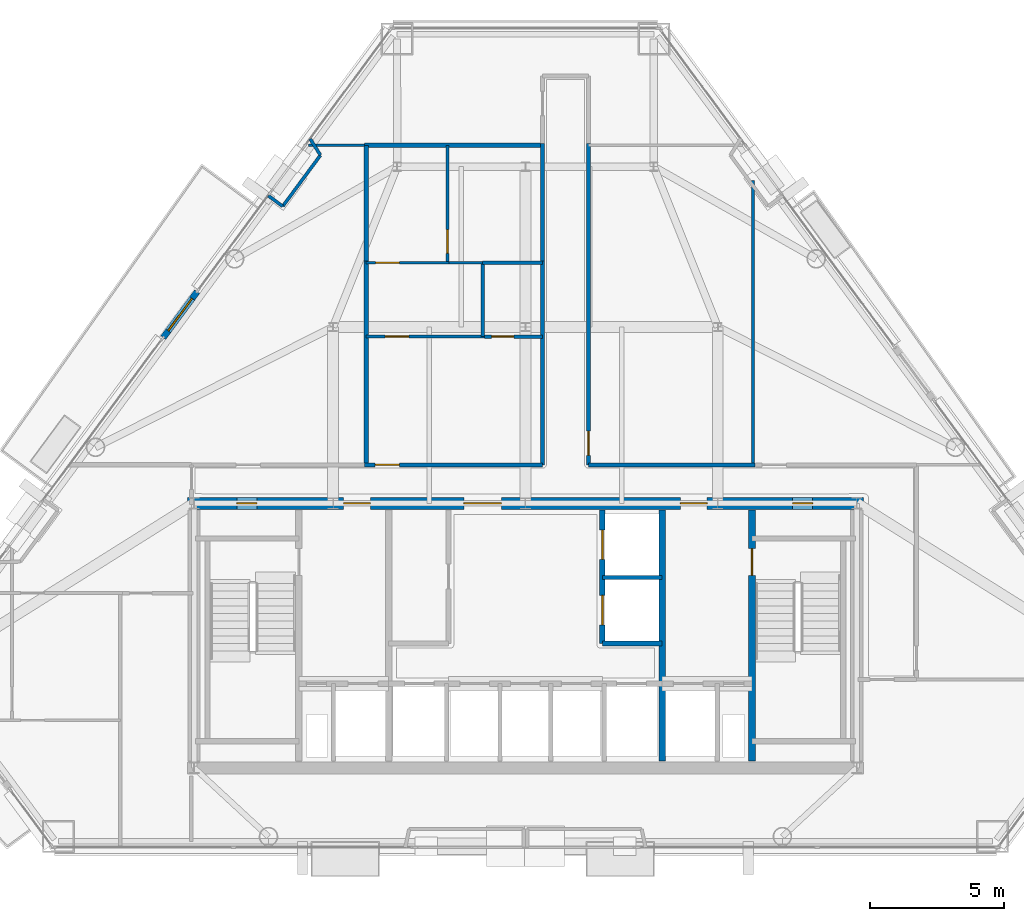
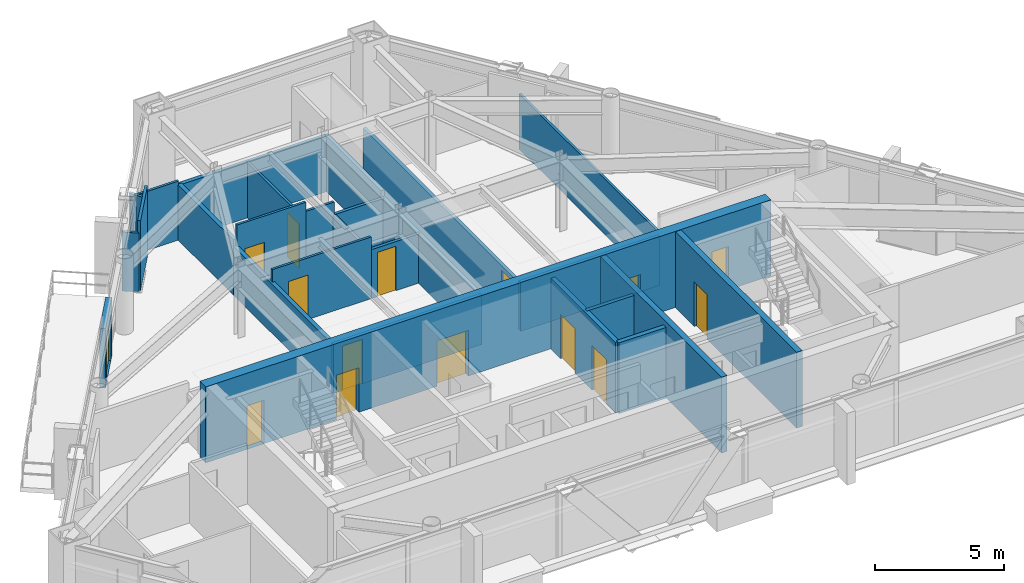
# One storey, part 8 of 11: 27 walls, 15 doors, 15 openings.
"""IFC4 building model written with IfcOpenShell, lengths in metres."""

from ifc_helpers import new_model, si_unit, direction, frame, frame_2d, origin, place, context, subcontext, project, spatial, rectangle, extrude, material, layer, layer_set, type_object, element, fill, save


model = new_model("IFC4")

# Units and contexts
model_context = context("Model", 3, precision=1e-05, world=origin(), true_north=direction((0.0, 1.0)))
body_context = subcontext(model_context, "Body", "Model", "MODEL_VIEW")
ifc_project = project(units=[si_unit("LENGTHUNIT", "METRE"), si_unit("AREAUNIT", "SQUARE_METRE"), si_unit("VOLUMEUNIT", "CUBIC_METRE"), si_unit("PLANEANGLEUNIT", "RADIAN"), si_unit("MASSUNIT", "GRAM", prefix="KILO")], contexts=[model_context])

# Site, building, storey
site_placement = place(None, origin())
site = spatial("IfcSite", under=ifc_project, at=site_placement, CompositionType="ELEMENT")
building_placement = place(site_placement, origin())
building = spatial("IfcBuilding", under=site, at=building_placement, Name="Talgorran Terracotta Tower", CompositionType="ELEMENT")
storey_placement = place(building_placement, frame((0.0, 0.0, 150.89990234375)))
storey = spatial("IfcBuildingStorey", under=building, at=storey_placement, Name="L39", CompositionType="ELEMENT", Elevation=150.89990234375)

# Wall, opening, door
ifc_material_1 = material(Name="Concrete C40/50", Category="concrete")
ifc_layer_1 = layer(ifc_material_1, 0.239990234375, Name="WT_BALCONY_SPAND")
ifc_layer_set_1 = layer_set([ifc_layer_1], Name="Concrete C40/50")
wall_type_1 = type_object("IfcWallType", Name="WT_BALCONY_SPAND", PredefinedType="STANDARD", material=ifc_layer_set_1)
wall_1_placement = place(storey_placement, frame((-12.28759765625, 3.72119140625, -0.014892578125), z_axis=(0.0, 0.0, 1.0), x_axis=(-0.593996463284, -0.804467651062, 0.0)))
wall_1 = element("IfcWall", 1, at=wall_1_placement, inside=storey, type_object=wall_type_1, Name="WL-L39-BALP-BAL-NW", PredefinedType="STANDARD", context=body_context, shape_type="SweptSolid", body=[
    extrude(rectangle(XDim=2.14013671875, YDim=0.239990234375, at=frame_2d((1.070068359375, 0.0))), origin(), (0.0, 0.0, 1.0), 2.806884765625),
])
opening_1_placement = place(wall_1_placement, frame((0.320068359375, 0.0, 0.014892578125)))
opening_1 = element("IfcOpeningElement", 2, at=opening_1_placement, cuts=wall_1, Name="Opening D-BAL-L39-2", PredefinedType="OPENING", context=body_context, shape_type="SweptSolid", body=[
    extrude(rectangle(XDim=1.506, YDim=2.203951171875, at=frame_2d((0.75, 1.10205078125))), frame((0.0, 0.1298828125, 0.0), z_axis=(0.0, -1.0, 0.0), x_axis=(1.0, 0.0, 0.0)), (0.0, 0.0, 1.0), 0.260009765625),
])
ifc_material_2 = material(Name="Thermally Broken Aluminium", Category="aluminium")
door_type_1 = type_object("IfcDoorType", Name="DT_BALC_1500", OperationType="SLIDING_TO_RIGHT", PredefinedType="DOOR", material=ifc_material_2)
door_1_placement = place(opening_1_placement, origin())
door_1 = element("IfcDoor", 3, at=door_1_placement, inside=storey, type_object=door_type_1, Name="DR-L39-BAL-BAL-NW", OperationType="SLIDING_TO_RIGHT", OverallHeight=2.199951171875, OverallWidth=1.5, PredefinedType="DOOR", context=body_context, shape_type="SweptSolid", body=[
    extrude(rectangle(XDim=1.5, YDim=2.199951171875, at=frame_2d((0.75, 1.10009765625))), frame((0.0, 0.02490234375, 0.0), z_axis=(0.0, -1.0, 0.0), x_axis=(1.0, 0.0, 0.0)), (0.0, 0.0, 1.0), 0.050048828125),
])
fill(opening_1, door_1)

# Wall, openings, doors
ifc_material_3 = material(Name="Concrete C50/60", Category="concrete")
ifc_layer_2 = layer(ifc_material_3, 0.199951171875, Name="WT_CORE_200")
ifc_layer_set_2 = layer_set([ifc_layer_2], Name="Concrete C50/60")
wall_type_2 = type_object("IfcWallType", Name="WT_CORE_200", PredefinedType="SOLIDWALL", material=ifc_layer_set_2)
wall_2_placement = place(storey_placement, frame((2.8798828125, -9.449951171875, 0.0), z_axis=(0.0, 0.0, 1.0), x_axis=(0.0, 1.0, 0.0)))
wall_2 = element("IfcWall", 4, at=wall_2_placement, inside=storey, type_object=wall_type_2, Name="WL-L39-CW-V-E3", PredefinedType="SOLIDWALL", context=body_context, shape_type="SweptSolid", body=[
    extrude(rectangle(XDim=5.0, YDim=0.199951171875, at=frame_2d((2.5, 0.0))), origin(), (0.0, 0.0, 1.0), 3.35009765625),
])
opening_2_placement = place(wall_2_placement, frame((0.699951171875, 0.0, 0.0)))
opening_2 = element("IfcOpeningElement", 5, at=opening_2_placement, cuts=wall_2, Name="Opening LD-PLM1", PredefinedType="OPENING", context=body_context, shape_type="SweptSolid", body=[
    extrude(rectangle(XDim=1.10609765625, YDim=2.10409765625, at=frame_2d((0.550048828125, 1.052001953125))), frame((0.0, 0.10986328125, 0.0), z_axis=(0.0, -1.0, 0.0), x_axis=(1.0, 0.0, 0.0)), (0.0, 0.0, 1.0), 0.219970703125),
])
opening_3_placement = place(wall_2_placement, frame((3.14990234375, 0.0, 0.0)))
opening_3 = element("IfcOpeningElement", 6, at=opening_3_placement, cuts=wall_2, Name="Opening LD-PLM2", PredefinedType="OPENING", context=body_context, shape_type="SweptSolid", body=[
    extrude(rectangle(XDim=1.10609765625, YDim=2.10409765625, at=frame_2d((0.550048828125, 1.052001953125))), frame((0.0, 0.10986328125, 0.0), z_axis=(0.0, -1.0, 0.0), x_axis=(1.0, 0.0, 0.0)), (0.0, 0.0, 1.0), 0.219970703125),
])
ifc_material_4 = material(Name="Brushed Stainless Steel Grade 304", Category="steel")
door_type_2 = type_object("IfcDoorType", Name="DT_LIFT_LD1100", OperationType="DOUBLE_DOOR_SLIDING", PredefinedType="DOOR", material=ifc_material_4)
door_2_placement = place(opening_2_placement, origin())
door_2 = element("IfcDoor", 7, at=door_2_placement, inside=storey, type_object=door_type_2, Name="L39 Lift Landing Door LD-PLM1", OperationType="DOUBLE_DOOR_SLIDING", OverallHeight=2.10009765625, OverallWidth=1.10009765625, PredefinedType="DOOR", context=body_context, shape_type="SweptSolid", body=[
    extrude(rectangle(XDim=1.10009765625, YDim=2.10009765625, at=frame_2d((0.550048828125, 1.050048828125))), frame((0.0, 0.02490234375, 0.0), z_axis=(0.0, -1.0, 0.0), x_axis=(1.0, 0.0, 0.0)), (0.0, 0.0, 1.0), 0.050048828125),
])
fill(opening_2, door_2)
door_3_placement = place(opening_3_placement, origin())
door_3 = element("IfcDoor", 8, at=door_3_placement, inside=storey, type_object=door_type_2, Name="L39 Lift Landing Door LD-PLM2", OperationType="DOUBLE_DOOR_SLIDING", OverallHeight=2.10009765625, OverallWidth=1.10009765625, PredefinedType="DOOR", context=body_context, shape_type="SweptSolid", body=[
    extrude(rectangle(XDim=1.10009765625, YDim=2.10009765625, at=frame_2d((0.550048828125, 1.050048828125))), frame((0.0, 0.02490234375, 0.0), z_axis=(0.0, -1.0, 0.0), x_axis=(1.0, 0.0, 0.0)), (0.0, 0.0, 1.0), 0.050048828125),
])
fill(opening_3, door_3)

# Wall
wall_3_placement = place(storey_placement, frame((2.8798828125, -9.449951171875, 0.0), z_axis=(0.0, 0.0, 1.0), x_axis=(1.0, 0.0, 0.0)))
element("IfcWall", 9, at=wall_3_placement, inside=storey, type_object=wall_type_2, Name="WL-L39-CW-H-E4", PredefinedType="SOLIDWALL", context=body_context, shape_type="SweptSolid", body=[
    extrude(rectangle(XDim=2.240234375, YDim=0.199951171875, at=frame_2d((1.1201171875, 0.0))), origin(), (0.0, 0.0, 1.0), 3.35009765625),
])

# Wall, opening, door
ifc_layer_3 = layer(ifc_material_3, 0.25, Name="WT_CORE_250")
ifc_layer_set_3 = layer_set([ifc_layer_3], Name="Concrete C50/60")
wall_type_3 = type_object("IfcWallType", Name="WT_CORE_250", PredefinedType="SHEAR", material=ifc_layer_set_3)
wall_4_placement = place(storey_placement, frame((8.47998046875, -13.85009765625, 0.0), z_axis=(0.0, 0.0, 1.0), x_axis=(0.0, 1.0, 0.0)))
wall_4 = element("IfcWall", 10, at=wall_4_placement, inside=storey, type_object=wall_type_3, Name="WL-L39-CW-V-E1", PredefinedType="SHEAR", context=body_context, shape_type="SweptSolid", body=[
    extrude(rectangle(XDim=9.400146484375, YDim=0.25, at=frame_2d((4.7001953125, 0.0))), origin(), (0.0, 0.0, 1.0), 3.60009765625),
])
opening_4_placement = place(wall_4_placement, frame((6.949951171875, 0.0, 0.0)))
opening_4 = element("IfcOpeningElement", 11, at=opening_4_placement, cuts=wall_4, Name="Opening DR-ST02", PredefinedType="OPENING", context=body_context, shape_type="SweptSolid", body=[
    extrude(rectangle(XDim=1.006, YDim=2.10409765625, at=frame_2d((0.5, 1.052001953125))), frame((0.0, 0.135009765625, 0.0), z_axis=(0.0, -1.0, 0.0), x_axis=(1.0, 0.0, 0.0)), (0.0, 0.0, 1.0), 0.27001953125),
])
ifc_material_5 = material(Name="Fire-Rated Pressed Steel", Category="steel")
door_type_3 = type_object("IfcDoorType", Name="DT_FIRE_1000", OperationType="NOTDEFINED", PredefinedType="DOOR", material=ifc_material_5)
door_4_placement = place(opening_4_placement, origin())
door_4 = element("IfcDoor", 12, at=door_4_placement, inside=storey, type_object=door_type_3, Name="DR-ST02", OperationType="SINGLE_SWING_RIGHT", OverallHeight=2.10009765625, OverallWidth=1.0, PredefinedType="DOOR", context=body_context, shape_type="SweptSolid", body=[
    extrude(rectangle(XDim=1.0, YDim=2.10009765625, at=frame_2d((0.5, 1.050048828125))), frame((0.0, 0.02490234375, 0.0), z_axis=(0.0, -1.0, 0.0), x_axis=(1.0, 0.0, 0.0)), (0.0, 0.0, 1.0), 0.050048828125),
])
fill(opening_4, door_4)

# Wall
wall_5_placement = place(storey_placement, frame((5.1201171875, -13.85009765625, 0.0), z_axis=(0.0, 0.0, 1.0), x_axis=(0.0, 1.0, 0.0)))
element("IfcWall", 13, at=wall_5_placement, inside=storey, type_object=wall_type_3, Name="WL-L39-CW-V-E2", PredefinedType="SHEAR", context=body_context, shape_type="SweptSolid", body=[
    extrude(rectangle(XDim=9.400146484375, YDim=0.25, at=frame_2d((4.7001953125, 0.0))), origin(), (0.0, 0.0, 1.0), 3.60009765625),
])

# Wall, openings, doors
ifc_material_6 = material(Name="Concrete C65/80", Category="concrete")
ifc_layer_4 = layer(ifc_material_6, 0.449951171875, Name="WT_CORE_EXT")
ifc_layer_set_4 = layer_set([ifc_layer_4], Name="Concrete C65/80")
wall_type_4 = type_object("IfcWallType", Name="WT_CORE_EXT", PredefinedType="SHEAR", material=ifc_layer_set_4)
wall_6_placement = place(storey_placement, frame((-12.64990234375, -4.199951171875, 0.0), z_axis=(0.0, 0.0, 1.0), x_axis=(1.0, 0.0, 0.0)))
wall_6 = element("IfcWall", 14, at=wall_6_placement, inside=storey, type_object=wall_type_4, Name="WL-L39-CW-OUT-N", PredefinedType="SHEAR", context=body_context, shape_type="SweptSolid", body=[
    extrude(rectangle(XDim=25.2998046875, YDim=0.449951171875, at=frame_2d((12.64990234375, 0.0))), origin(), (0.0, 0.0, 1.0), 3.60009765625),
])
opening_5_placement = place(wall_6_placement, frame((1.85009765625, 0.0, 0.0)))
opening_5 = element("IfcOpeningElement", 15, at=opening_5_placement, cuts=wall_6, Name="Opening DR-CSN1", PredefinedType="OPENING", context=body_context, shape_type="SweptSolid", body=[
    extrude(rectangle(XDim=0.756, YDim=2.054048828125, at=frame_2d((0.375, 1.027099609375))), frame((0.0, 0.23486328125, 0.0), z_axis=(0.0, -1.0, 0.0), x_axis=(1.0, 0.0, 0.0)), (0.0, 0.0, 1.0), 0.469970703125),
])
opening_6_placement = place(wall_6_placement, frame((22.64990234375, 0.0, 0.0)))
opening_6 = element("IfcOpeningElement", 16, at=opening_6_placement, cuts=wall_6, Name="Opening DR-CSN2", PredefinedType="OPENING", context=body_context, shape_type="SweptSolid", body=[
    extrude(rectangle(XDim=0.756, YDim=2.054048828125, at=frame_2d((0.375, 1.027099609375))), frame((0.0, 0.23486328125, 0.0), z_axis=(0.0, -1.0, 0.0), x_axis=(1.0, 0.0, 0.0)), (0.0, 0.0, 1.0), 0.469970703125),
])
opening_7_placement = place(wall_6_placement, frame((5.85009765625, 0.0, 0.0)))
opening_7 = element("IfcOpeningElement", 17, at=opening_7_placement, cuts=wall_6, Name="Opening DR-FFLW-N", PredefinedType="OPENING", context=body_context, shape_type="SweptSolid", body=[
    extrude(rectangle(XDim=1.006, YDim=2.10409765625, at=frame_2d((0.5, 1.052001953125))), frame((0.0, 0.23486328125, 0.0), z_axis=(0.0, -1.0, 0.0), x_axis=(1.0, 0.0, 0.0)), (0.0, 0.0, 1.0), 0.469970703125),
])
opening_8_placement = place(wall_6_placement, frame((10.35009765625, 0.0, 0.0)))
opening_8 = element("IfcOpeningElement", 18, at=opening_8_placement, cuts=wall_6, Name="Opening DR-PLL-N", PredefinedType="OPENING", context=body_context, shape_type="SweptSolid", body=[
    extrude(rectangle(XDim=1.40590234375, YDim=2.15390234375, at=frame_2d((0.699951171875, 1.076904296875))), frame((0.0, 0.23486328125, 0.0), z_axis=(0.0, -1.0, 0.0), x_axis=(1.0, 0.0, 0.0)), (0.0, 0.0, 1.0), 0.469970703125),
])
opening_9_placement = place(wall_6_placement, frame((18.449951171875, 0.0, 0.0)))
opening_9 = element("IfcOpeningElement", 19, at=opening_9_placement, cuts=wall_6, Name="Opening DR-FFLE-N", PredefinedType="OPENING", context=body_context, shape_type="SweptSolid", body=[
    extrude(rectangle(XDim=1.006, YDim=2.10409765625, at=frame_2d((0.5, 1.052001953125))), frame((0.0, 0.23486328125, 0.0), z_axis=(0.0, -1.0, 0.0), x_axis=(1.0, 0.0, 0.0)), (0.0, 0.0, 1.0), 0.469970703125),
])
ifc_material_7 = material(Name="Acoustic Glazed Timber", Category="wood")
door_type_4 = type_object("IfcDoorType", Name="DT_DOUBLE_1400", OperationType="DOUBLE_DOOR_SINGLE_SWING", PredefinedType="DOOR", material=ifc_material_7)
door_5_placement = place(opening_8_placement, origin())
door_5 = element("IfcDoor", 20, at=door_5_placement, inside=storey, type_object=door_type_4, Name="DR-PLL-N", OperationType="DOUBLE_DOOR_SINGLE_SWING", OverallHeight=2.14990234375, OverallWidth=1.39990234375, PredefinedType="DOOR", context=body_context, shape_type="SweptSolid", body=[
    extrude(rectangle(XDim=1.39990234375, YDim=2.14990234375, at=frame_2d((0.699951171875, 1.074951171875))), frame((0.0, 0.02490234375, 0.0), z_axis=(0.0, -1.0, 0.0), x_axis=(1.0, 0.0, 0.0)), (0.0, 0.0, 1.0), 0.050048828125),
])
fill(opening_8, door_5)
door_6_placement = place(opening_7_placement, origin())
door_6 = element("IfcDoor", 21, at=door_6_placement, inside=storey, type_object=door_type_3, Name="DR-FFLW-N", OperationType="SINGLE_SWING_LEFT", OverallHeight=2.10009765625, OverallWidth=1.0, PredefinedType="DOOR", context=body_context, shape_type="SweptSolid", body=[
    extrude(rectangle(XDim=1.0, YDim=2.10009765625, at=frame_2d((0.5, 1.050048828125))), frame((0.0, 0.02490234375, 0.0), z_axis=(0.0, -1.0, 0.0), x_axis=(1.0, 0.0, 0.0)), (0.0, 0.0, 1.0), 0.050048828125),
])
fill(opening_7, door_6)
door_7_placement = place(opening_9_placement, origin())
door_7 = element("IfcDoor", 22, at=door_7_placement, inside=storey, type_object=door_type_3, Name="DR-FFLE-N", OperationType="SINGLE_SWING_RIGHT", OverallHeight=2.10009765625, OverallWidth=1.0, PredefinedType="DOOR", context=body_context, shape_type="SweptSolid", body=[
    extrude(rectangle(XDim=1.0, YDim=2.10009765625, at=frame_2d((0.5, 1.050048828125))), frame((0.0, 0.02490234375, 0.0), z_axis=(0.0, -1.0, 0.0), x_axis=(1.0, 0.0, 0.0)), (0.0, 0.0, 1.0), 0.050048828125),
])
fill(opening_9, door_7)
door_type_5 = type_object("IfcDoorType", Name="DT_RISER_750", OperationType="NOTDEFINED", PredefinedType="DOOR", material=ifc_material_5)
door_8_placement = place(opening_5_placement, origin())
door_8 = element("IfcDoor", 23, at=door_8_placement, inside=storey, type_object=door_type_5, Name="DR-CSN1", OperationType="SINGLE_SWING_LEFT", OverallHeight=2.050048828125, OverallWidth=0.75, PredefinedType="DOOR", context=body_context, shape_type="SweptSolid", body=[
    extrude(rectangle(XDim=0.75, YDim=2.050048828125, at=frame_2d((0.375, 1.02490234375))), frame((0.0, 0.02490234375, 0.0), z_axis=(0.0, -1.0, 0.0), x_axis=(1.0, 0.0, 0.0)), (0.0, 0.0, 1.0), 0.050048828125),
])
fill(opening_5, door_8)
door_9_placement = place(opening_6_placement, origin())
door_9 = element("IfcDoor", 24, at=door_9_placement, inside=storey, type_object=door_type_5, Name="DR-CSN2", OperationType="SINGLE_SWING_RIGHT", OverallHeight=2.050048828125, OverallWidth=0.75, PredefinedType="DOOR", context=body_context, shape_type="SweptSolid", body=[
    extrude(rectangle(XDim=0.75, YDim=2.050048828125, at=frame_2d((0.375, 1.02490234375))), frame((0.0, 0.02490234375, 0.0), z_axis=(0.0, -1.0, 0.0), x_axis=(1.0, 0.0, 0.0)), (0.0, 0.0, 1.0), 0.050048828125),
])
fill(opening_6, door_9)

# Wall, opening, door
ifc_material_8 = material(Name="Fire-Rated Steel Stud Plasterboard", Category="steel")
ifc_layer_5 = layer(ifc_material_8, 0.14990234375, Name="WT_FIRE_150")
ifc_layer_set_5 = layer_set([ifc_layer_5], Name="Fire-Rated Steel Stud Plasterboard")
wall_type_5 = type_object("IfcWallType", Name="WT_FIRE_150", PredefinedType="PARTITIONING", material=ifc_layer_set_5)
wall_7_placement = place(storey_placement, frame((2.360107421875, -2.760009765625, 0.0), z_axis=(0.0, 0.0, 1.0), x_axis=(0.0, 1.0, 0.0)))
wall_7 = element("IfcWall", 25, at=wall_7_placement, inside=storey, type_object=wall_type_5, Name="WL-L39-W-L39-R12", PredefinedType="PARTITIONING", context=body_context, shape_type="SweptSolid", body=[
    extrude(rectangle(XDim=12.02001953125, YDim=0.14990234375, at=frame_2d((6.010009765625, 0.0))), origin(), (0.0, 0.0, 1.0), 2.3251953125),
])
opening_10_placement = place(wall_7_placement, frame((0.359130859375, 0.0, 0.0)))
opening_10 = element("IfcOpeningElement", 26, at=opening_10_placement, cuts=wall_7, Name="Opening DR-L39-R14", PredefinedType="OPENING", context=body_context, shape_type="SweptSolid", body=[
    extrude(rectangle(XDim=0.90590234375, YDim=2.10409765625, at=frame_2d((0.449951171875, 1.052001953125))), frame((0.0, 0.0849609375, 0.0), z_axis=(0.0, -1.0, 0.0), x_axis=(1.0, 0.0, 0.0)), (0.0, 0.0, 1.0), 0.169921875),
])
ifc_material_9 = material(Name="Fire-Rated Timber Core", Category="wood")
door_type_6 = type_object("IfcDoorType", Name="DT_FIRE_900", OperationType="NOTDEFINED", PredefinedType="DOOR", material=ifc_material_9)
door_10_placement = place(opening_10_placement, origin())
door_10 = element("IfcDoor", 27, at=door_10_placement, inside=storey, type_object=door_type_6, Name="DR-L39-R14", OperationType="SINGLE_SWING_RIGHT", OverallHeight=2.10009765625, OverallWidth=0.89990234375, PredefinedType="DOOR", context=body_context, shape_type="SweptSolid", body=[
    extrude(rectangle(XDim=0.89990234375, YDim=2.10009765625, at=frame_2d((0.449951171875, 1.050048828125))), frame((0.0, 0.02490234375, 0.0), z_axis=(0.0, -1.0, 0.0), x_axis=(1.0, 0.0, 0.0)), (0.0, 0.0, 1.0), 0.050048828125),
])
fill(opening_10, door_10)

wall_8_placement = place(storey_placement, frame((-6.02001953125, -2.760009765625, 0.0), z_axis=(0.0, 0.0, 1.0), x_axis=(1.0, 0.0, 0.0)))
wall_8 = element("IfcWall", 28, at=wall_8_placement, inside=storey, type_object=wall_type_5, Name="WL-L39-W-L39-R08", PredefinedType="PARTITIONING", context=body_context, shape_type="SweptSolid", body=[
    extrude(rectangle(XDim=6.659912109375, YDim=0.14990234375, at=frame_2d((3.330078125, 0.0))), origin(), (0.0, 0.0, 1.0), 2.3251953125),
])
opening_11_placement = place(wall_8_placement, frame((0.39990234375, 0.0, 0.0)))
opening_11 = element("IfcOpeningElement", 29, at=opening_11_placement, cuts=wall_8, Name="Opening DR-L39-R09", PredefinedType="OPENING", context=body_context, shape_type="SweptSolid", body=[
    extrude(rectangle(XDim=0.90590234375, YDim=2.10409765625, at=frame_2d((0.449951171875, 1.052001953125))), frame((0.0, 0.0849609375, 0.0), z_axis=(0.0, -1.0, 0.0), x_axis=(1.0, 0.0, 0.0)), (0.0, 0.0, 1.0), 0.169921875),
])
door_11_placement = place(opening_11_placement, origin())
door_11 = element("IfcDoor", 30, at=door_11_placement, inside=storey, type_object=door_type_6, Name="DR-L39-R09", OperationType="SINGLE_SWING_LEFT", OverallHeight=2.10009765625, OverallWidth=0.89990234375, PredefinedType="DOOR", context=body_context, shape_type="SweptSolid", body=[
    extrude(rectangle(XDim=0.89990234375, YDim=2.10009765625, at=frame_2d((0.449951171875, 1.050048828125))), frame((0.0, 0.02490234375, 0.0), z_axis=(0.0, -1.0, 0.0), x_axis=(1.0, 0.0, 0.0)), (0.0, 0.0, 1.0), 0.050048828125),
])
fill(opening_11, door_11)

# Walls
wall_9_placement = place(storey_placement, frame((2.360107421875, -2.760009765625, 0.0), z_axis=(0.0, 0.0, 1.0), x_axis=(1.0, 0.0, 0.0)))
element("IfcWall", 31, at=wall_9_placement, inside=storey, type_object=wall_type_5, Name="WL-L39-W-L39-R13", PredefinedType="PARTITIONING", context=body_context, shape_type="SweptSolid", body=[
    extrude(rectangle(XDim=6.239990234375, YDim=0.14990234375, at=frame_2d((3.1201171875, 0.0))), origin(), (0.0, 0.0, 1.0), 2.3251953125),
])
wall_10_placement = place(storey_placement, frame((0.639892578125, -2.760009765625, 0.0), z_axis=(0.0, 0.0, 1.0), x_axis=(0.0, 1.0, 0.0)))
element("IfcWall", 32, at=wall_10_placement, inside=storey, type_object=wall_type_5, Name="WL-L39-W-L39-R09", PredefinedType="PARTITIONING", context=body_context, shape_type="SweptSolid", body=[
    extrude(rectangle(XDim=7.6201171875, YDim=0.14990234375, at=frame_2d((3.81005859375, 0.0))), origin(), (0.0, 0.0, 1.0), 2.3251953125),
])
wall_11_placement = place(storey_placement, frame((0.639892578125, 4.862060546875, 0.0), z_axis=(0.0, 0.0, 1.0), x_axis=(0.0, 1.0, 0.0)))
element("IfcWall", 33, at=wall_11_placement, inside=storey, type_object=wall_type_5, Name="WL-L39-W-L39-R11", PredefinedType="PARTITIONING", context=body_context, shape_type="SweptSolid", body=[
    extrude(rectangle(XDim=4.39794921875, YDim=0.14990234375, at=frame_2d((2.198974609375, 0.0))), origin(), (0.0, 0.0, 1.0), 2.6171875),
])
ifc_material_10 = material(Name="Acoustic Stud and Plasterboard")
ifc_layer_6 = layer(ifc_material_10, 0.179931640625, Name="WT_PARTY_200")
ifc_layer_set_6 = layer_set([ifc_layer_6], Name="Acoustic Stud and Plasterboard")
wall_type_6 = type_object("IfcWallType", Name="WT_PARTY_200", PredefinedType="PARTITIONING", material=ifc_layer_set_6)
wall_12_placement = place(storey_placement, frame((-5.9599609375, -2.760009765625, 0.0), z_axis=(0.0, 0.0, 1.0), x_axis=(0.0, 1.0, 0.0)))
element("IfcWall", 34, at=wall_12_placement, inside=storey, type_object=wall_type_6, Name="WL-L39-W-L39-R28", PredefinedType="PARTITIONING", context=body_context, shape_type="SweptSolid", body=[
    extrude(rectangle(XDim=7.6201171875, YDim=0.179931640625, at=frame_2d((3.81005859375, 0.0))), origin(), (0.0, 0.0, 1.0), 2.3251953125),
])
wall_13_placement = place(storey_placement, frame((-5.9599609375, 4.862060546875, 0.0), z_axis=(0.0, 0.0, 1.0), x_axis=(0.0, 1.0, 0.0)))
element("IfcWall", 35, at=wall_13_placement, inside=storey, type_object=wall_type_6, Name="WL-L39-W-L39-R30", PredefinedType="PARTITIONING", context=body_context, shape_type="SweptSolid", body=[
    extrude(rectangle(XDim=4.337890625, YDim=0.179931640625, at=frame_2d((2.1689453125, 0.0))), origin(), (0.0, 0.0, 1.0), 2.6171875),
])
wall_14_placement = place(storey_placement, frame((-6.02001953125, 9.199951171875, 0.0), z_axis=(0.0, 0.0, 1.0), x_axis=(1.0, 0.0, 0.0)))
element("IfcWall", 36, at=wall_14_placement, inside=storey, type_object=wall_type_6, Name="WL-L39-W-L39-R26", PredefinedType="PARTITIONING", context=body_context, shape_type="SweptSolid", body=[
    extrude(rectangle(XDim=6.659912109375, YDim=0.179931640625, at=frame_2d((3.330078125, 0.0))), origin(), (0.0, 0.0, 1.0), 2.6171875),
])
ifc_material_11 = material(Name="Lightweight Steel Stud Partition", Category="steel")
ifc_layer_7 = layer(ifc_material_11, 0.10498046875, Name="WT_PART_110")
ifc_layer_set_7 = layer_set([ifc_layer_7], Name="Lightweight Steel Stud Partition")
wall_type_7 = type_object("IfcWallType", Name="WT_PART_110", PredefinedType="PARTITIONING", material=ifc_layer_set_7)
wall_15_placement = place(storey_placement, frame((8.52001953125, -2.760009765625, 0.0), z_axis=(0.0, 0.0, 1.0), x_axis=(0.0, 1.0, 0.0)))
element("IfcWall", 37, at=wall_15_placement, inside=storey, type_object=wall_type_7, Name="WL-L39-W-L39-R38", PredefinedType="PARTITIONING", context=body_context, shape_type="SweptSolid", body=[
    extrude(rectangle(XDim=10.639892578125, YDim=0.10498046875, at=frame_2d((5.31982421875, 0.0))), origin(), (0.0, 0.0, 1.0), 2.6171875),
])

# Wall, opening, door
wall_16_placement = place(storey_placement, frame((-5.9599609375, 2.0400390625, 0.0), z_axis=(0.0, 0.0, 1.0), x_axis=(1.0, 0.0, 0.0)))
wall_16 = element("IfcWall", 38, at=wall_16_placement, inside=storey, type_object=wall_type_7, Name="WL-L39-W-L39-R32", PredefinedType="PARTITIONING", context=body_context, shape_type="SweptSolid", body=[
    extrude(rectangle(XDim=4.419921875, YDim=0.10498046875, at=frame_2d((2.2099609375, 0.0))), origin(), (0.0, 0.0, 1.0), 2.918701171875),
])
opening_12_placement = place(wall_16_placement, frame((0.71630859375, 0.0, 0.0)))
opening_12 = element("IfcOpeningElement", 39, at=opening_12_placement, cuts=wall_16, Name="Opening DR-L39-R11", PredefinedType="OPENING", context=body_context, shape_type="SweptSolid", body=[
    extrude(rectangle(XDim=0.8858828125, YDim=2.10409765625, at=frame_2d((0.43994140625, 1.052001953125))), frame((0.0, 0.0625, 0.0), z_axis=(0.0, -1.0, 0.0), x_axis=(1.0, 0.0, 0.0)), (0.0, 0.0, 1.0), 0.125),
])
ifc_material_12 = material(Name="Solid-Core Painted Timber", Category="wood")
door_type_7 = type_object("IfcDoorType", Name="DT_INT_880", OperationType="NOTDEFINED", PredefinedType="DOOR", material=ifc_material_12)
door_12_placement = place(opening_12_placement, origin())
door_12 = element("IfcDoor", 40, at=door_12_placement, inside=storey, type_object=door_type_7, Name="DR-L39-R11", OperationType="SINGLE_SWING_LEFT", OverallHeight=2.10009765625, OverallWidth=0.8798828125, PredefinedType="DOOR", context=body_context, shape_type="SweptSolid", body=[
    extrude(rectangle(XDim=0.8798828125, YDim=2.10009765625, at=frame_2d((0.43994140625, 1.050048828125))), frame((0.0, 0.02490234375, 0.0), z_axis=(0.0, -1.0, 0.0), x_axis=(1.0, 0.0, 0.0)), (0.0, 0.0, 1.0), 0.050048828125),
])
fill(opening_12, door_12)

wall_17_placement = place(storey_placement, frame((-2.919921875, 4.800048828125, 0.0), z_axis=(0.0, 0.0, 1.0), x_axis=(0.0, 1.0, 0.0)))
wall_17 = element("IfcWall", 41, at=wall_17_placement, inside=storey, type_object=wall_type_7, Name="WL-L39-W-L39-R37", PredefinedType="PARTITIONING", context=body_context, shape_type="SweptSolid", body=[
    extrude(rectangle(XDim=4.39990234375, YDim=0.10498046875, at=frame_2d((2.199951171875, 0.0))), origin(), (0.0, 0.0, 1.0), 2.6171875),
])
opening_13_placement = place(wall_17_placement, frame((0.360107421875, 0.0, 0.0)))
opening_13 = element("IfcOpeningElement", 42, at=opening_13_placement, cuts=wall_17, Name="Opening DR-L39-R13", PredefinedType="OPENING", context=body_context, shape_type="SweptSolid", body=[
    extrude(rectangle(XDim=0.8858828125, YDim=2.10409765625, at=frame_2d((0.43994140625, 1.052001953125))), frame((0.0, 0.0625, 0.0), z_axis=(0.0, -1.0, 0.0), x_axis=(1.0, 0.0, 0.0)), (0.0, 0.0, 1.0), 0.125),
])
door_13_placement = place(opening_13_placement, origin())
door_13 = element("IfcDoor", 43, at=door_13_placement, inside=storey, type_object=door_type_7, Name="DR-L39-R13", OperationType="SINGLE_SWING_LEFT", OverallHeight=2.10009765625, OverallWidth=0.8798828125, PredefinedType="DOOR", context=body_context, shape_type="SweptSolid", body=[
    extrude(rectangle(XDim=0.8798828125, YDim=2.10009765625, at=frame_2d((0.43994140625, 1.050048828125))), frame((0.0, 0.02490234375, 0.0), z_axis=(0.0, -1.0, 0.0), x_axis=(1.0, 0.0, 0.0)), (0.0, 0.0, 1.0), 0.050048828125),
])
fill(opening_13, door_13)

wall_18_placement = place(storey_placement, frame((-5.9599609375, 4.800048828125, 0.0), z_axis=(0.0, 0.0, 1.0), x_axis=(1.0, 0.0, 0.0)))
wall_18 = element("IfcWall", 44, at=wall_18_placement, inside=storey, type_object=wall_type_7, Name="WL-L39-W-L39-R35", PredefinedType="PARTITIONING", context=body_context, shape_type="SweptSolid", body=[
    extrude(rectangle(XDim=3.099853515625, YDim=0.10498046875, at=frame_2d((1.5498046875, 0.0))), origin(), (0.0, 0.0, 1.0), 3.35009765625),
])
opening_14_placement = place(wall_18_placement, frame((0.357666015625, 0.0, 0.0)))
opening_14 = element("IfcOpeningElement", 45, at=opening_14_placement, cuts=wall_18, Name="Opening DR-L39-R12", PredefinedType="OPENING", context=body_context, shape_type="SweptSolid", body=[
    extrude(rectangle(XDim=0.8858828125, YDim=2.10409765625, at=frame_2d((0.43994140625, 1.052001953125))), frame((0.0, 0.0625, 0.0), z_axis=(0.0, -1.0, 0.0), x_axis=(1.0, 0.0, 0.0)), (0.0, 0.0, 1.0), 0.125),
])
door_14_placement = place(opening_14_placement, origin())
door_14 = element("IfcDoor", 46, at=door_14_placement, inside=storey, type_object=door_type_7, Name="DR-L39-R12", OperationType="SINGLE_SWING_RIGHT", OverallHeight=2.10009765625, OverallWidth=0.8798828125, PredefinedType="DOOR", context=body_context, shape_type="SweptSolid", body=[
    extrude(rectangle(XDim=0.8798828125, YDim=2.10009765625, at=frame_2d((0.43994140625, 1.050048828125))), frame((0.0, 0.02490234375, 0.0), z_axis=(0.0, -1.0, 0.0), x_axis=(1.0, 0.0, 0.0)), (0.0, 0.0, 1.0), 0.050048828125),
])
fill(opening_14, door_14)

# Walls
wall_19_placement = place(storey_placement, frame((-8.1201171875, 9.199951171875, 0.0), z_axis=(0.0, 0.0, 1.0), x_axis=(1.0, 0.0, 0.0)))
element("IfcWall", 47, at=wall_19_placement, inside=storey, type_object=wall_type_7, Name="WL-L39-W-L39-R24", PredefinedType="PARTITIONING", context=body_context, shape_type="SweptSolid", body=[
    extrude(rectangle(XDim=2.09814453125, YDim=0.10498046875, at=frame_2d((1.049072265625, 0.0))), origin(), (0.0, 0.0, 1.0), 2.7919921875),
])
wall_20_placement = place(storey_placement, frame((-2.85791015625, 4.800048828125, 0.0), z_axis=(0.0, 0.0, 1.0), x_axis=(1.0, 0.0, 0.0)))
element("IfcWall", 48, at=wall_20_placement, inside=storey, type_object=wall_type_7, Name="WL-L39-W-L39-R36", PredefinedType="PARTITIONING", context=body_context, shape_type="SweptSolid", body=[
    extrude(rectangle(XDim=1.2578125, YDim=0.10498046875, at=frame_2d((0.62890625, 0.0))), origin(), (0.0, 0.0, 1.0), 2.918701171875),
])
ifc_material_13 = material(Name="Insulated Steel Stud Plasterboard", Category="steel")
ifc_layer_8 = layer(ifc_material_13, 0.1201171875, Name="WT_PART_120")
ifc_layer_set_8 = layer_set([ifc_layer_8], Name="Insulated Steel Stud Plasterboard")
wall_type_8 = type_object("IfcWallType", Name="WT_PART_120", PredefinedType="PARTITIONING", material=ifc_layer_set_8)
wall_21_placement = place(storey_placement, frame((-7.67138671875, 8.8271484375, 0.0), z_axis=(0.0, 0.0, 1.0), x_axis=(-0.594053249338, -0.804425718728, 0.0)))
element("IfcWall", 49, at=wall_21_placement, inside=storey, type_object=wall_type_8, Name="WL-L39-BW-L39-15", PredefinedType="PARTITIONING", context=body_context, shape_type="SweptSolid", body=[
    extrude(rectangle(XDim=2.3779296875, YDim=0.1201171875, at=frame_2d((1.18896484375, 0.0))), origin(), (0.0, 0.0, 1.0), 3.35009765625),
])
wall_22_placement = place(storey_placement, frame((-8.053955078125, 9.436767578125, 0.0), z_axis=(0.0, 0.0, 1.0), x_axis=(0.531553111266, -0.847024964156, 0.0)))
element("IfcWall", 50, at=wall_22_placement, inside=storey, type_object=wall_type_8, Name="WL-L39-BW-L39-14", PredefinedType="PARTITIONING", context=body_context, shape_type="SweptSolid", body=[
    extrude(rectangle(XDim=0.7197265625, YDim=0.1201171875, at=frame_2d((0.35986328125, 0.0))), origin(), (0.0, 0.0, 1.0), 2.7919921875),
])
wall_23_placement = place(storey_placement, frame((-9.083984375, 6.914306640625, 0.0), z_axis=(0.0, 0.0, 1.0), x_axis=(-0.804395751644, 0.594093826543, 0.0)))
element("IfcWall", 51, at=wall_23_placement, inside=storey, type_object=wall_type_8, Name="WL-L39-BW-L39-16", PredefinedType="PARTITIONING", context=body_context, shape_type="SweptSolid", body=[
    extrude(rectangle(XDim=0.669921875, YDim=0.1201171875, at=frame_2d((0.3349609375, 0.0))), origin(), (0.0, 0.0, 1.0), 2.7919921875),
])
ifc_material_14 = material(Name="Moisture-Resistant Stud Wall")
ifc_layer_9 = layer(ifc_material_14, 0.135009765625, Name="WT_PART_135")
ifc_layer_set_9 = layer_set([ifc_layer_9], Name="Moisture-Resistant Stud Wall")
wall_type_9 = type_object("IfcWallType", Name="WT_PART_135", PredefinedType="PARTITIONING", material=ifc_layer_set_9)
wall_24_placement = place(storey_placement, frame((-1.60009765625, 2.0400390625, 0.0), z_axis=(0.0, 0.0, 1.0), x_axis=(0.0, 1.0, 0.0)))
element("IfcWall", 52, at=wall_24_placement, inside=storey, type_object=wall_type_9, Name="WL-L39-W-L39-R33", PredefinedType="PARTITIONING", context=body_context, shape_type="SweptSolid", body=[
    extrude(rectangle(XDim=2.760009765625, YDim=0.135009765625, at=frame_2d((1.3798828125, 0.0))), origin(), (0.0, 0.0, 1.0), 2.3251953125),
])

# Wall, opening, door
wall_25_placement = place(storey_placement, frame((-1.5380859375, 2.0400390625, 0.0), z_axis=(0.0, 0.0, 1.0), x_axis=(1.0, 0.0, 0.0)))
wall_25 = element("IfcWall", 53, at=wall_25_placement, inside=storey, type_object=wall_type_9, Name="WL-L39-W-L39-R31", PredefinedType="PARTITIONING", context=body_context, shape_type="SweptSolid", body=[
    extrude(rectangle(XDim=2.177978515625, YDim=0.135009765625, at=frame_2d((1.0888671875, 0.0))), origin(), (0.0, 0.0, 1.0), 2.3251953125),
])
opening_15_placement = place(wall_25_placement, frame((0.278076171875, 0.0, 0.0)))
opening_15 = element("IfcOpeningElement", 54, at=opening_15_placement, cuts=wall_25, Name="Opening DR-L39-R10", PredefinedType="OPENING", context=body_context, shape_type="SweptSolid", body=[
    extrude(rectangle(XDim=0.826068359375, YDim=2.10409765625, at=frame_2d((0.41015625, 1.052001953125))), frame((0.0, 0.07763671875, 0.0), z_axis=(0.0, -1.0, 0.0), x_axis=(1.0, 0.0, 0.0)), (0.0, 0.0, 1.0), 0.155029296875),
])
ifc_material_15 = material(Name="Moisture-Resistant Solid Timber", Category="wood")
door_type_8 = type_object("IfcDoorType", Name="DT_INT_820", OperationType="NOTDEFINED", PredefinedType="DOOR", material=ifc_material_15)
door_15_placement = place(opening_15_placement, origin())
door_15 = element("IfcDoor", 55, at=door_15_placement, inside=storey, type_object=door_type_8, Name="DR-L39-R10", OperationType="SINGLE_SWING_RIGHT", OverallHeight=2.10009765625, OverallWidth=0.820068359375, PredefinedType="DOOR", context=body_context, shape_type="SweptSolid", body=[
    extrude(rectangle(XDim=0.820068359375, YDim=2.10009765625, at=frame_2d((0.41015625, 1.050048828125))), frame((0.0, 0.02490234375, 0.0), z_axis=(0.0, -1.0, 0.0), x_axis=(1.0, 0.0, 0.0)), (0.0, 0.0, 1.0), 0.050048828125),
])
fill(opening_15, door_15)

# Walls
wall_26_placement = place(storey_placement, frame((-1.60009765625, 4.800048828125, 0.0), z_axis=(0.0, 0.0, 1.0), x_axis=(1.0, 0.0, 0.0)))
element("IfcWall", 56, at=wall_26_placement, inside=storey, type_object=wall_type_9, Name="WL-L39-W-L39-R34", PredefinedType="PARTITIONING", context=body_context, shape_type="SweptSolid", body=[
    extrude(rectangle(XDim=2.239990234375, YDim=0.135009765625, at=frame_2d((1.1201171875, 0.0))), origin(), (0.0, 0.0, 1.0), 2.3251953125),
])
ifc_material_16 = material(Name="Fire-Rated Shaftwall")
ifc_layer_10 = layer(ifc_material_16, 0.159912109375, Name="WT_PART_150")
ifc_layer_set_10 = layer_set([ifc_layer_10], Name="Fire-Rated Shaftwall")
wall_type_10 = type_object("IfcWallType", Name="WT_PART_150", PredefinedType="PARTITIONING", material=ifc_layer_set_10)
wall_27_placement = place(storey_placement, frame((2.8798828125, -6.97998046875, 0.0), z_axis=(0.0, 0.0, 1.0), x_axis=(1.0, 0.0, 0.0)))
element("IfcWall", 57, at=wall_27_placement, inside=storey, type_object=wall_type_10, Name="WL-L39-CW-PLM-DIV", PredefinedType="PARTITIONING", context=body_context, shape_type="SweptSolid", body=[
    extrude(rectangle(XDim=2.240234375, YDim=0.159912109375, at=frame_2d((1.1201171875, 0.0))), origin(), (0.0, 0.0, 1.0), 3.35009765625),
])

save(model, "model.ifc")
